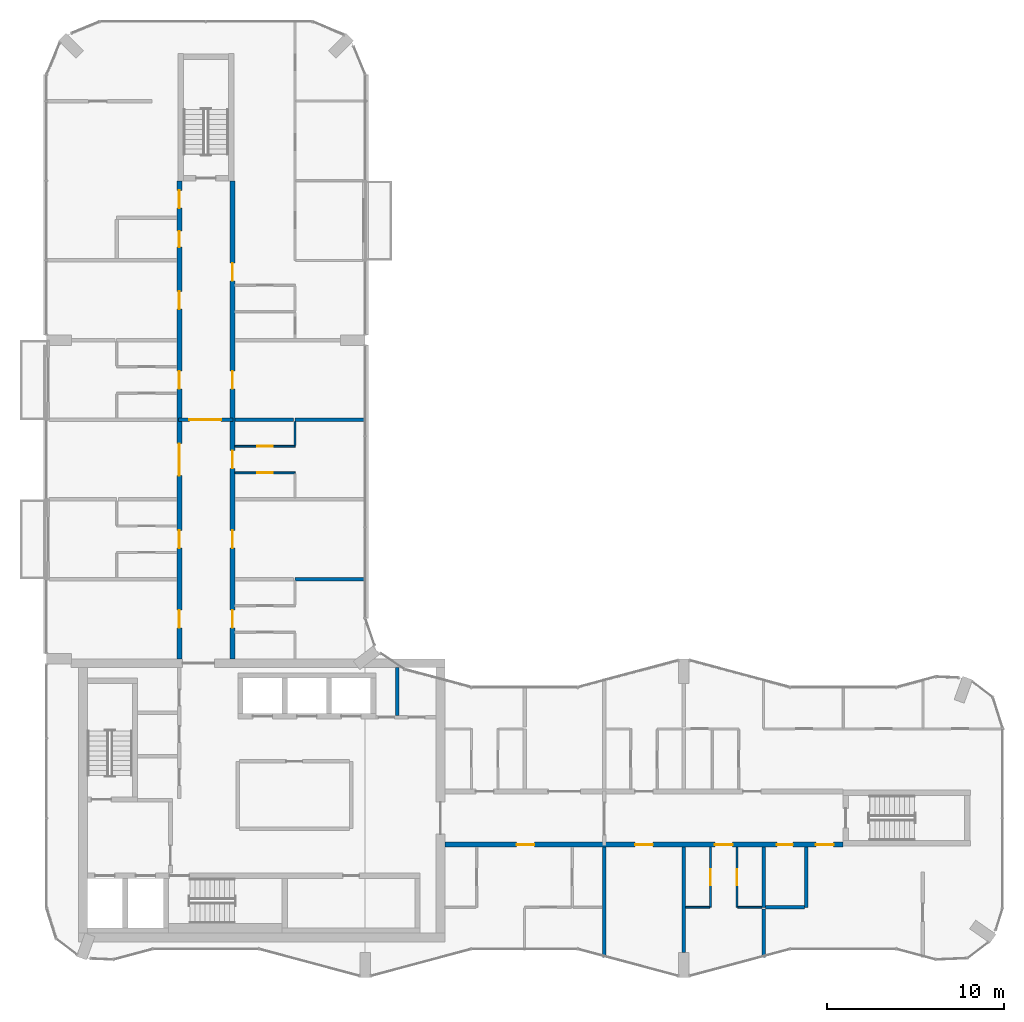
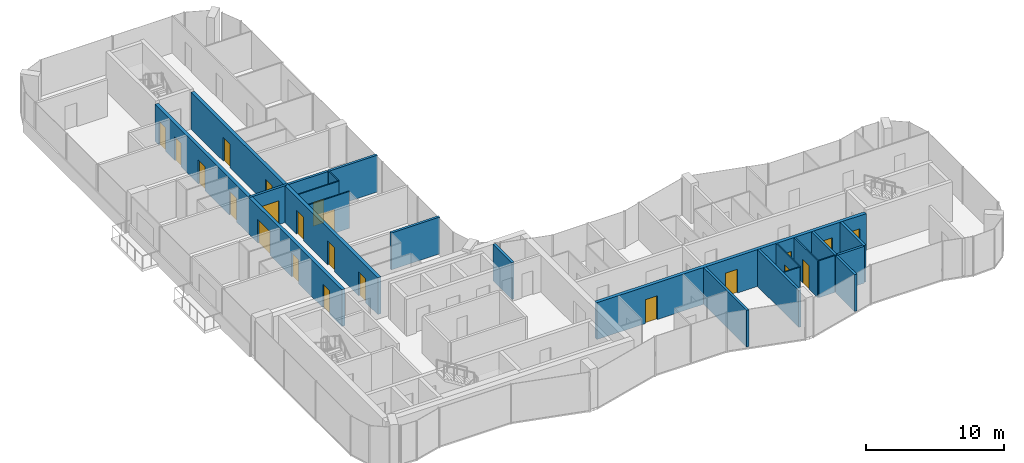
# One storey, part 11 of 16: 22 doors, 21 walls, 22 openings.
"""IFC4 building model written with IfcOpenShell, lengths in metres."""

from ifc_helpers import new_model, si_unit, direction, frame, frame_2d, origin, place, context, subcontext, project, spatial, rectangle, extrude, material, layer, layer_set, type_object, element, fill, save


model = new_model("IFC4")

# Units and contexts
model_context = context("Model", 3, precision=1e-05, world=origin(), true_north=direction((0.0, 1.0)))
body_context = subcontext(model_context, "Body", "Model", "MODEL_VIEW")
ifc_project = project(units=[si_unit("LENGTHUNIT", "METRE"), si_unit("AREAUNIT", "SQUARE_METRE"), si_unit("VOLUMEUNIT", "CUBIC_METRE"), si_unit("PLANEANGLEUNIT", "RADIAN"), si_unit("MASSUNIT", "GRAM", prefix="KILO")], contexts=[model_context])

# Site, building, storey
site_placement = place(None, origin())
site = spatial("IfcSite", under=ifc_project, at=site_placement, CompositionType="ELEMENT")
building_placement = place(site_placement, origin())
building = spatial("IfcBuilding", under=site, at=building_placement, Name="Plateau Cross Towers", CompositionType="ELEMENT")
storey_placement = place(building_placement, frame((0.0, 0.0, 215.39990234375)))
storey = spatial("IfcBuildingStorey", under=building, at=storey_placement, Name="L56", CompositionType="ELEMENT", Elevation=215.39990234375)

# Wall
ifc_material_1 = material(Name="Concrete block, plastered both sides", Category="concrete")
ifc_layer_1 = layer(ifc_material_1, 0.199951171875)
ifc_layer_set_1 = layer_set([ifc_layer_1], Name="Concrete block, plastered both sides")
wall_type_1 = type_object("IfcWallType", Name="Core partition 200", PredefinedType="PARTITIONING", material=ifc_layer_set_1)
wall_1_placement = place(storey_placement, frame((19.800048828125, 14.800048828125, 0.0), z_axis=(0.0, 0.0, 1.0), x_axis=(0.0, 1.0, 0.0)))
element("IfcWall", 1, at=wall_1_placement, inside=storey, type_object=wall_type_1, Name="Core partition", PredefinedType="PARTITIONING", context=body_context, shape_type="SweptSolid", body=[
    extrude(rectangle(XDim=2.699951171875, YDim=0.199951171875, at=frame_2d((1.35009765625, 0.0))), origin(), (0.0, 0.0, 1.0), 3.25),
])

# Wall, openings, doors
ifc_material_2 = material(Name="Concrete C60/75", Category="concrete")
ifc_layer_2 = layer(ifc_material_2, 0.27490234375)
ifc_layer_set_2 = layer_set([ifc_layer_2], Name="Concrete C60/75")
wall_type_2 = type_object("IfcWallType", Name="Corridor wall 275", PredefinedType="SHEAR", material=ifc_layer_set_2)
wall_2_placement = place(storey_placement, frame((22.5, 7.5, 0.0), z_axis=(0.0, 0.0, 1.0), x_axis=(1.0, 0.0, 0.0)))
wall_2 = element("IfcWall", 2, at=wall_2_placement, inside=storey, type_object=wall_type_2, Name="A-cw-S1@L56", PredefinedType="SHEAR", context=body_context, shape_type="SweptSolid", body=[
    extrude(rectangle(XDim=22.5, YDim=0.27490234375, at=frame_2d((11.25, 0.0))), origin(), (0.0, 0.0, 1.0), 3.25),
])
opening_1_placement = place(wall_2_placement, frame((4.050048828125, 0.0, 0.0)))
opening_1 = element("IfcOpeningElement", 3, at=opening_1_placement, cuts=wall_2, Name="Opening 56-01", PredefinedType="OPENING", context=body_context, shape_type="SweptSolid", body=[
    extrude(rectangle(XDim=1.0, YDim=2.10009765625, at=frame_2d((0.5, 1.050048828125))), frame((0.0, 0.1474609375, 0.0), z_axis=(0.0, -1.0, 0.0), x_axis=(1.0, 0.0, 0.0)), (0.0, 0.0, 1.0), 0.294921875),
])
opening_2_placement = place(wall_2_placement, frame((10.75, 0.0, 0.0)))
opening_2 = element("IfcOpeningElement", 4, at=opening_2_placement, cuts=wall_2, Name="Opening 56-02", PredefinedType="OPENING", context=body_context, shape_type="SweptSolid", body=[
    extrude(rectangle(XDim=1.0, YDim=2.10009765625, at=frame_2d((0.5, 1.050048828125))), frame((0.0, 0.1474609375, 0.0), z_axis=(0.0, -1.0, 0.0), x_axis=(1.0, 0.0, 0.0)), (0.0, 0.0, 1.0), 0.294921875),
])
opening_3_placement = place(wall_2_placement, frame((15.25, 0.0, 0.0)))
opening_3 = element("IfcOpeningElement", 5, at=opening_3_placement, cuts=wall_2, Name="Opening 56-03", PredefinedType="OPENING", context=body_context, shape_type="SweptSolid", body=[
    extrude(rectangle(XDim=1.0, YDim=2.10009765625, at=frame_2d((0.5, 1.050048828125))), frame((0.0, 0.1474609375, 0.0), z_axis=(0.0, -1.0, 0.0), x_axis=(1.0, 0.0, 0.0)), (0.0, 0.0, 1.0), 0.294921875),
])
opening_4_placement = place(wall_2_placement, frame((18.75, 0.0, 0.0)))
opening_4 = element("IfcOpeningElement", 6, at=opening_4_placement, cuts=wall_2, Name="Opening 56-04", PredefinedType="OPENING", context=body_context, shape_type="SweptSolid", body=[
    extrude(rectangle(XDim=0.89990234375, YDim=2.10009765625, at=frame_2d((0.449951171875, 1.050048828125))), frame((0.0, 0.1474609375, 0.0), z_axis=(0.0, -1.0, 0.0), x_axis=(1.0, 0.0, 0.0)), (0.0, 0.0, 1.0), 0.294921875),
])
opening_5_placement = place(wall_2_placement, frame((20.949951171875, 0.0, 0.0)))
opening_5 = element("IfcOpeningElement", 7, at=opening_5_placement, cuts=wall_2, Name="Opening 56-05", PredefinedType="OPENING", context=body_context, shape_type="SweptSolid", body=[
    extrude(rectangle(XDim=1.0, YDim=2.10009765625, at=frame_2d((0.5, 1.050048828125))), frame((0.0, 0.1474609375, 0.0), z_axis=(0.0, -1.0, 0.0), x_axis=(1.0, 0.0, 0.0)), (0.0, 0.0, 1.0), 0.294921875),
])
ifc_material_3 = material(Name="Timber, fire-resisting leaf", Category="wood")
door_type_1 = type_object("IfcDoorType", Name="Flat entrance door 1000", OperationType="NOTDEFINED", PredefinedType="DOOR", material=ifc_material_3)
door_1_placement = place(opening_1_placement, origin())
door_1 = element("IfcDoor", 8, at=door_1_placement, inside=storey, type_object=door_type_1, Name="Door 56-01", OperationType="SINGLE_SWING_LEFT", OverallHeight=2.10009765625, OverallWidth=1.0, PredefinedType="DOOR", context=body_context, shape_type="SweptSolid", body=[
    extrude(rectangle(XDim=1.0, YDim=2.10009765625, at=frame_2d((0.5, 1.050048828125))), frame((0.0, 0.02490234375, 0.0), z_axis=(0.0, -1.0, 0.0), x_axis=(1.0, 0.0, 0.0)), (0.0, 0.0, 1.0), 0.050048828125),
])
fill(opening_1, door_1)
door_2_placement = place(opening_2_placement, origin())
door_2 = element("IfcDoor", 9, at=door_2_placement, inside=storey, type_object=door_type_1, Name="Door 56-02", OperationType="SINGLE_SWING_LEFT", OverallHeight=2.10009765625, OverallWidth=1.0, PredefinedType="DOOR", context=body_context, shape_type="SweptSolid", body=[
    extrude(rectangle(XDim=1.0, YDim=2.10009765625, at=frame_2d((0.5, 1.050048828125))), frame((0.0, 0.02490234375, 0.0), z_axis=(0.0, -1.0, 0.0), x_axis=(1.0, 0.0, 0.0)), (0.0, 0.0, 1.0), 0.050048828125),
])
fill(opening_2, door_2)
door_3_placement = place(opening_3_placement, origin())
door_3 = element("IfcDoor", 10, at=door_3_placement, inside=storey, type_object=door_type_1, Name="Door 56-03", OperationType="SINGLE_SWING_RIGHT", OverallHeight=2.10009765625, OverallWidth=1.0, PredefinedType="DOOR", context=body_context, shape_type="SweptSolid", body=[
    extrude(rectangle(XDim=1.0, YDim=2.10009765625, at=frame_2d((0.5, 1.050048828125))), frame((0.0, 0.02490234375, 0.0), z_axis=(0.0, -1.0, 0.0), x_axis=(1.0, 0.0, 0.0)), (0.0, 0.0, 1.0), 0.050048828125),
])
fill(opening_3, door_3)
door_4_placement = place(opening_5_placement, origin())
door_4 = element("IfcDoor", 11, at=door_4_placement, inside=storey, type_object=door_type_1, Name="Door 56-05", OperationType="SINGLE_SWING_RIGHT", OverallHeight=2.10009765625, OverallWidth=1.0, PredefinedType="DOOR", context=body_context, shape_type="SweptSolid", body=[
    extrude(rectangle(XDim=1.0, YDim=2.10009765625, at=frame_2d((0.5, 1.050048828125))), frame((0.0, 0.02490234375, 0.0), z_axis=(0.0, -1.0, 0.0), x_axis=(1.0, 0.0, 0.0)), (0.0, 0.0, 1.0), 0.050048828125),
])
fill(opening_5, door_4)
door_type_2 = type_object("IfcDoorType", Name="Flat floor service door 900", OperationType="NOTDEFINED", PredefinedType="DOOR", material=ifc_material_3)
door_5_placement = place(opening_4_placement, origin())
door_5 = element("IfcDoor", 12, at=door_5_placement, inside=storey, type_object=door_type_2, Name="Door 56-04", OperationType="SINGLE_SWING_RIGHT", OverallHeight=2.10009765625, OverallWidth=0.89990234375, PredefinedType="DOOR", context=body_context, shape_type="SweptSolid", body=[
    extrude(rectangle(XDim=0.89990234375, YDim=2.10009765625, at=frame_2d((0.449951171875, 1.050048828125))), frame((0.0, 0.02490234375, 0.0), z_axis=(0.0, -1.0, 0.0), x_axis=(1.0, 0.0, 0.0)), (0.0, 0.0, 1.0), 0.050048828125),
])
fill(opening_4, door_5)

wall_3_placement = place(storey_placement, frame((7.5, 18.0, 0.0), z_axis=(0.0, 0.0, 1.0), x_axis=(0.0, 1.0, 0.0)))
wall_3 = element("IfcWall", 13, at=wall_3_placement, inside=storey, type_object=wall_type_2, Name="A-cw-W1@L56", PredefinedType="SHEAR", context=body_context, shape_type="SweptSolid", body=[
    extrude(rectangle(XDim=27.0, YDim=0.27490234375, at=frame_2d((13.5, 0.0))), origin(), (0.0, 0.0, 1.0), 3.25),
])
opening_6_placement = place(wall_3_placement, frame((1.75, 0.0, 0.0)))
opening_6 = element("IfcOpeningElement", 14, at=opening_6_placement, cuts=wall_3, Name="Opening 56-10", PredefinedType="OPENING", context=body_context, shape_type="SweptSolid", body=[
    extrude(rectangle(XDim=1.0, YDim=2.10009765625, at=frame_2d((0.5, 1.050048828125))), frame((0.0, 0.1474609375, 0.0), z_axis=(0.0, -1.0, 0.0), x_axis=(1.0, 0.0, 0.0)), (0.0, 0.0, 1.0), 0.294921875),
])
opening_7_placement = place(wall_3_placement, frame((6.25, 0.0, 0.0)))
opening_7 = element("IfcOpeningElement", 15, at=opening_7_placement, cuts=wall_3, Name="Opening 56-11", PredefinedType="OPENING", context=body_context, shape_type="SweptSolid", body=[
    extrude(rectangle(XDim=1.0, YDim=2.10009765625, at=frame_2d((0.5, 1.050048828125))), frame((0.0, 0.1474609375, 0.0), z_axis=(0.0, -1.0, 0.0), x_axis=(1.0, 0.0, 0.0)), (0.0, 0.0, 1.0), 0.294921875),
])
opening_8_placement = place(wall_3_placement, frame((10.35009765625, 0.0, 0.0)))
opening_8 = element("IfcOpeningElement", 16, at=opening_8_placement, cuts=wall_3, Name="Opening 56-12", PredefinedType="OPENING", context=body_context, shape_type="SweptSolid", body=[
    extrude(rectangle(XDim=1.800048828125, YDim=2.10009765625, at=frame_2d((0.89990234375, 1.050048828125))), frame((0.0, 0.1474609375, 0.0), z_axis=(0.0, -1.0, 0.0), x_axis=(1.0, 0.0, 0.0)), (0.0, 0.0, 1.0), 0.294921875),
])
opening_9_placement = place(wall_3_placement, frame((15.25, 0.0, 0.0)))
opening_9 = element("IfcOpeningElement", 17, at=opening_9_placement, cuts=wall_3, Name="Opening 56-13", PredefinedType="OPENING", context=body_context, shape_type="SweptSolid", body=[
    extrude(rectangle(XDim=1.0, YDim=2.10009765625, at=frame_2d((0.5, 1.050048828125))), frame((0.0, 0.1474609375, 0.0), z_axis=(0.0, -1.0, 0.0), x_axis=(1.0, 0.0, 0.0)), (0.0, 0.0, 1.0), 0.294921875),
])
opening_10_placement = place(wall_3_placement, frame((19.75, 0.0, 0.0)))
opening_10 = element("IfcOpeningElement", 18, at=opening_10_placement, cuts=wall_3, Name="Opening 56-14", PredefinedType="OPENING", context=body_context, shape_type="SweptSolid", body=[
    extrude(rectangle(XDim=1.0, YDim=2.10009765625, at=frame_2d((0.5, 1.050048828125))), frame((0.0, 0.1474609375, 0.0), z_axis=(0.0, -1.0, 0.0), x_axis=(1.0, 0.0, 0.0)), (0.0, 0.0, 1.0), 0.294921875),
])
opening_11_placement = place(wall_3_placement, frame((23.25, 0.0, 0.0)))
opening_11 = element("IfcOpeningElement", 19, at=opening_11_placement, cuts=wall_3, Name="Opening 56-15", PredefinedType="OPENING", context=body_context, shape_type="SweptSolid", body=[
    extrude(rectangle(XDim=0.89990234375, YDim=2.10009765625, at=frame_2d((0.449951171875, 1.050048828125))), frame((0.0, 0.1474609375, 0.0), z_axis=(0.0, -1.0, 0.0), x_axis=(1.0, 0.0, 0.0)), (0.0, 0.0, 1.0), 0.294921875),
])
opening_12_placement = place(wall_3_placement, frame((25.449951171875, 0.0, 0.0)))
opening_12 = element("IfcOpeningElement", 20, at=opening_12_placement, cuts=wall_3, Name="Opening 56-16", PredefinedType="OPENING", context=body_context, shape_type="SweptSolid", body=[
    extrude(rectangle(XDim=1.0, YDim=2.10009765625, at=frame_2d((0.5, 1.050048828125))), frame((0.0, 0.1474609375, 0.0), z_axis=(0.0, -1.0, 0.0), x_axis=(1.0, 0.0, 0.0)), (0.0, 0.0, 1.0), 0.294921875),
])
door_6_placement = place(opening_6_placement, origin())
door_6 = element("IfcDoor", 21, at=door_6_placement, inside=storey, type_object=door_type_1, Name="Door 56-10", OperationType="SINGLE_SWING_LEFT", OverallHeight=2.10009765625, OverallWidth=1.0, PredefinedType="DOOR", context=body_context, shape_type="SweptSolid", body=[
    extrude(rectangle(XDim=1.0, YDim=2.10009765625, at=frame_2d((0.5, 1.050048828125))), frame((0.0, 0.02490234375, 0.0), z_axis=(0.0, -1.0, 0.0), x_axis=(1.0, 0.0, 0.0)), (0.0, 0.0, 1.0), 0.050048828125),
])
fill(opening_6, door_6)
door_7_placement = place(opening_7_placement, origin())
door_7 = element("IfcDoor", 22, at=door_7_placement, inside=storey, type_object=door_type_1, Name="Door 56-11", OperationType="SINGLE_SWING_LEFT", OverallHeight=2.10009765625, OverallWidth=1.0, PredefinedType="DOOR", context=body_context, shape_type="SweptSolid", body=[
    extrude(rectangle(XDim=1.0, YDim=2.10009765625, at=frame_2d((0.5, 1.050048828125))), frame((0.0, 0.02490234375, 0.0), z_axis=(0.0, -1.0, 0.0), x_axis=(1.0, 0.0, 0.0)), (0.0, 0.0, 1.0), 0.050048828125),
])
fill(opening_7, door_7)
door_8_placement = place(opening_9_placement, origin())
door_8 = element("IfcDoor", 23, at=door_8_placement, inside=storey, type_object=door_type_1, Name="Door 56-13", OperationType="SINGLE_SWING_RIGHT", OverallHeight=2.10009765625, OverallWidth=1.0, PredefinedType="DOOR", context=body_context, shape_type="SweptSolid", body=[
    extrude(rectangle(XDim=1.0, YDim=2.10009765625, at=frame_2d((0.5, 1.050048828125))), frame((0.0, 0.02490234375, 0.0), z_axis=(0.0, -1.0, 0.0), x_axis=(1.0, 0.0, 0.0)), (0.0, 0.0, 1.0), 0.050048828125),
])
fill(opening_9, door_8)
door_9_placement = place(opening_10_placement, origin())
door_9 = element("IfcDoor", 24, at=door_9_placement, inside=storey, type_object=door_type_1, Name="Door 56-14", OperationType="SINGLE_SWING_RIGHT", OverallHeight=2.10009765625, OverallWidth=1.0, PredefinedType="DOOR", context=body_context, shape_type="SweptSolid", body=[
    extrude(rectangle(XDim=1.0, YDim=2.10009765625, at=frame_2d((0.5, 1.050048828125))), frame((0.0, 0.02490234375, 0.0), z_axis=(0.0, -1.0, 0.0), x_axis=(1.0, 0.0, 0.0)), (0.0, 0.0, 1.0), 0.050048828125),
])
fill(opening_10, door_9)
door_10_placement = place(opening_12_placement, origin())
door_10 = element("IfcDoor", 25, at=door_10_placement, inside=storey, type_object=door_type_1, Name="Door 56-16", OperationType="SINGLE_SWING_RIGHT", OverallHeight=2.10009765625, OverallWidth=1.0, PredefinedType="DOOR", context=body_context, shape_type="SweptSolid", body=[
    extrude(rectangle(XDim=1.0, YDim=2.10009765625, at=frame_2d((0.5, 1.050048828125))), frame((0.0, 0.02490234375, 0.0), z_axis=(0.0, -1.0, 0.0), x_axis=(1.0, 0.0, 0.0)), (0.0, 0.0, 1.0), 0.050048828125),
])
fill(opening_12, door_10)
ifc_material_4 = material(Name="Timber, fire-resisting leaves", Category="wood")
door_type_3 = type_object("IfcDoorType", Name="Flat floor fire door pair 1800", OperationType="NOTDEFINED", PredefinedType="DOOR", material=ifc_material_4)
door_11_placement = place(opening_8_placement, origin())
door_11 = element("IfcDoor", 26, at=door_11_placement, inside=storey, type_object=door_type_3, Name="Door 56-12", OperationType="SINGLE_SWING_LEFT", OverallHeight=2.10009765625, OverallWidth=1.800048828125, PredefinedType="DOOR", context=body_context, shape_type="SweptSolid", body=[
    extrude(rectangle(XDim=1.800048828125, YDim=2.10009765625, at=frame_2d((0.89990234375, 1.050048828125))), frame((0.0, 0.02490234375, 0.0), z_axis=(0.0, -1.0, 0.0), x_axis=(1.0, 0.0, 0.0)), (0.0, 0.0, 1.0), 0.050048828125),
])
fill(opening_8, door_11)
door_12_placement = place(opening_11_placement, origin())
door_12 = element("IfcDoor", 27, at=door_12_placement, inside=storey, type_object=door_type_2, Name="Door 56-15", OperationType="SINGLE_SWING_RIGHT", OverallHeight=2.10009765625, OverallWidth=0.89990234375, PredefinedType="DOOR", context=body_context, shape_type="SweptSolid", body=[
    extrude(rectangle(XDim=0.89990234375, YDim=2.10009765625, at=frame_2d((0.449951171875, 1.050048828125))), frame((0.0, 0.02490234375, 0.0), z_axis=(0.0, -1.0, 0.0), x_axis=(1.0, 0.0, 0.0)), (0.0, 0.0, 1.0), 0.050048828125),
])
fill(opening_11, door_12)

wall_4_placement = place(storey_placement, frame((10.5, 18.0, 0.0), z_axis=(0.0, 0.0, 1.0), x_axis=(0.0, 1.0, 0.0)))
wall_4 = element("IfcWall", 28, at=wall_4_placement, inside=storey, type_object=wall_type_2, Name="A-cw-W2@L56", PredefinedType="SHEAR", context=body_context, shape_type="SweptSolid", body=[
    extrude(rectangle(XDim=27.0, YDim=0.27490234375, at=frame_2d((13.5, 0.0))), origin(), (0.0, 0.0, 1.0), 3.25),
])
opening_13_placement = place(wall_4_placement, frame((1.75, 0.0, 0.0)))
opening_13 = element("IfcOpeningElement", 29, at=opening_13_placement, cuts=wall_4, Name="Opening 56-17", PredefinedType="OPENING", context=body_context, shape_type="SweptSolid", body=[
    extrude(rectangle(XDim=1.0, YDim=2.10009765625, at=frame_2d((0.5, 1.050048828125))), frame((0.0, 0.1474609375, 0.0), z_axis=(0.0, -1.0, 0.0), x_axis=(1.0, 0.0, 0.0)), (0.0, 0.0, 1.0), 0.294921875),
])
opening_14_placement = place(wall_4_placement, frame((6.25, 0.0, 0.0)))
opening_14 = element("IfcOpeningElement", 30, at=opening_14_placement, cuts=wall_4, Name="Opening 56-18", PredefinedType="OPENING", context=body_context, shape_type="SweptSolid", body=[
    extrude(rectangle(XDim=1.0, YDim=2.10009765625, at=frame_2d((0.5, 1.050048828125))), frame((0.0, 0.1474609375, 0.0), z_axis=(0.0, -1.0, 0.0), x_axis=(1.0, 0.0, 0.0)), (0.0, 0.0, 1.0), 0.294921875),
])
opening_15_placement = place(wall_4_placement, frame((10.75, 0.0, 0.0)))
opening_15 = element("IfcOpeningElement", 31, at=opening_15_placement, cuts=wall_4, Name="Opening 56-19", PredefinedType="OPENING", context=body_context, shape_type="SweptSolid", body=[
    extrude(rectangle(XDim=1.0, YDim=2.10009765625, at=frame_2d((0.5, 1.050048828125))), frame((0.0, 0.1474609375, 0.0), z_axis=(0.0, -1.0, 0.0), x_axis=(1.0, 0.0, 0.0)), (0.0, 0.0, 1.0), 0.294921875),
])
opening_16_placement = place(wall_4_placement, frame((15.25, 0.0, 0.0)))
opening_16 = element("IfcOpeningElement", 32, at=opening_16_placement, cuts=wall_4, Name="Opening 56-20", PredefinedType="OPENING", context=body_context, shape_type="SweptSolid", body=[
    extrude(rectangle(XDim=1.0, YDim=2.10009765625, at=frame_2d((0.5, 1.050048828125))), frame((0.0, 0.1474609375, 0.0), z_axis=(0.0, -1.0, 0.0), x_axis=(1.0, 0.0, 0.0)), (0.0, 0.0, 1.0), 0.294921875),
])
opening_17_placement = place(wall_4_placement, frame((21.35009765625, 0.0, 0.0)))
opening_17 = element("IfcOpeningElement", 33, at=opening_17_placement, cuts=wall_4, Name="Opening 56-21", PredefinedType="OPENING", context=body_context, shape_type="SweptSolid", body=[
    extrude(rectangle(XDim=1.0, YDim=2.10009765625, at=frame_2d((0.5, 1.050048828125))), frame((0.0, 0.1474609375, 0.0), z_axis=(0.0, -1.0, 0.0), x_axis=(1.0, 0.0, 0.0)), (0.0, 0.0, 1.0), 0.294921875),
])
door_13_placement = place(opening_13_placement, origin())
door_13 = element("IfcDoor", 34, at=door_13_placement, inside=storey, type_object=door_type_1, Name="Door 56-17", OperationType="SINGLE_SWING_LEFT", OverallHeight=2.10009765625, OverallWidth=1.0, PredefinedType="DOOR", context=body_context, shape_type="SweptSolid", body=[
    extrude(rectangle(XDim=1.0, YDim=2.10009765625, at=frame_2d((0.5, 1.050048828125))), frame((0.0, 0.02490234375, 0.0), z_axis=(0.0, -1.0, 0.0), x_axis=(1.0, 0.0, 0.0)), (0.0, 0.0, 1.0), 0.050048828125),
])
fill(opening_13, door_13)
door_14_placement = place(opening_14_placement, origin())
door_14 = element("IfcDoor", 35, at=door_14_placement, inside=storey, type_object=door_type_1, Name="Door 56-18", OperationType="SINGLE_SWING_LEFT", OverallHeight=2.10009765625, OverallWidth=1.0, PredefinedType="DOOR", context=body_context, shape_type="SweptSolid", body=[
    extrude(rectangle(XDim=1.0, YDim=2.10009765625, at=frame_2d((0.5, 1.050048828125))), frame((0.0, 0.02490234375, 0.0), z_axis=(0.0, -1.0, 0.0), x_axis=(1.0, 0.0, 0.0)), (0.0, 0.0, 1.0), 0.050048828125),
])
fill(opening_14, door_14)
door_15_placement = place(opening_15_placement, origin())
door_15 = element("IfcDoor", 36, at=door_15_placement, inside=storey, type_object=door_type_1, Name="Door 56-19", OperationType="SINGLE_SWING_LEFT", OverallHeight=2.10009765625, OverallWidth=1.0, PredefinedType="DOOR", context=body_context, shape_type="SweptSolid", body=[
    extrude(rectangle(XDim=1.0, YDim=2.10009765625, at=frame_2d((0.5, 1.050048828125))), frame((0.0, 0.02490234375, 0.0), z_axis=(0.0, -1.0, 0.0), x_axis=(1.0, 0.0, 0.0)), (0.0, 0.0, 1.0), 0.050048828125),
])
fill(opening_15, door_15)
door_16_placement = place(opening_16_placement, origin())
door_16 = element("IfcDoor", 37, at=door_16_placement, inside=storey, type_object=door_type_1, Name="Door 56-20", OperationType="SINGLE_SWING_RIGHT", OverallHeight=2.10009765625, OverallWidth=1.0, PredefinedType="DOOR", context=body_context, shape_type="SweptSolid", body=[
    extrude(rectangle(XDim=1.0, YDim=2.10009765625, at=frame_2d((0.5, 1.050048828125))), frame((0.0, 0.02490234375, 0.0), z_axis=(0.0, -1.0, 0.0), x_axis=(1.0, 0.0, 0.0)), (0.0, 0.0, 1.0), 0.050048828125),
])
fill(opening_16, door_16)
door_17_placement = place(opening_17_placement, origin())
door_17 = element("IfcDoor", 38, at=door_17_placement, inside=storey, type_object=door_type_1, Name="Door 56-21", OperationType="SINGLE_SWING_RIGHT", OverallHeight=2.10009765625, OverallWidth=1.0, PredefinedType="DOOR", context=body_context, shape_type="SweptSolid", body=[
    extrude(rectangle(XDim=1.0, YDim=2.10009765625, at=frame_2d((0.5, 1.050048828125))), frame((0.0, 0.02490234375, 0.0), z_axis=(0.0, -1.0, 0.0), x_axis=(1.0, 0.0, 0.0)), (0.0, 0.0, 1.0), 0.050048828125),
])
fill(opening_17, door_17)

# Walls
ifc_material_5 = material(Name="Gypsum board on steel studs", Category="steel")
ifc_layer_3 = layer(ifc_material_5, 0.10009765625)
ifc_layer_set_3 = layer_set([ifc_layer_3], Name="Gypsum board on steel studs")
wall_type_3 = type_object("IfcWallType", Name="Flat partition 100", PredefinedType="PARTITIONING", material=ifc_layer_set_3)
for number, where, z_axis, x_axis, name in (
    (39, (36.10009765625, 3.96240234375, 0.0), (0.0, 0.0, 1.0), (1.0, 0.0, 0.0), "Partition wall"),
    (40, (39.050048828125, 3.96240234375, 0.0), (0.0, 0.0, 1.0), (1.0, 0.0, 0.0), "Partition wall"),
):
    element("IfcWall", number, at=place(storey_placement, frame(where, z_axis=z_axis, x_axis=x_axis)), inside=storey, type_object=wall_type_3, Name=name, PredefinedType="PARTITIONING", context=body_context, shape_type="SweptSolid", body=[
        extrude(rectangle(XDim=1.349853515625, YDim=0.10009765625, at=frame_2d((0.6748046875, 0.0))), origin(), (0.0, 0.0, 1.0), 3.25),
    ])

# Wall, opening, door
wall_5_placement = place(storey_placement, frame((14.03759765625, 28.5, 0.0), z_axis=(0.0, 0.0, 1.0), x_axis=(-1.0, 0.0, 0.0)))
wall_5 = element("IfcWall", 41, at=wall_5_placement, inside=storey, type_object=wall_type_3, Name="Partition wall", PredefinedType="PARTITIONING", context=body_context, shape_type="SweptSolid", body=[
    extrude(rectangle(XDim=3.400146484375, YDim=0.10009765625, at=frame_2d((1.7001953125, 0.0))), origin(), (0.0, 0.0, 1.0), 3.25),
])
opening_18_placement = place(wall_5_placement, frame((1.25, 0.0, 0.0)))
opening_18 = element("IfcOpeningElement", 42, at=opening_18_placement, cuts=wall_5, Name="Opening 56-46", PredefinedType="OPENING", context=body_context, shape_type="SweptSolid", body=[
    extrude(rectangle(XDim=0.89990234375, YDim=2.10009765625, at=frame_2d((0.449951171875, 1.050048828125))), frame((0.0, 0.06005859375, 0.0), z_axis=(0.0, -1.0, 0.0), x_axis=(1.0, 0.0, 0.0)), (0.0, 0.0, 1.0), 0.1201171875),
])
ifc_material_6 = material(Name="Timber leaf", Category="wood")
door_type_4 = type_object("IfcDoorType", Name="Flat room door 900", OperationType="NOTDEFINED", PredefinedType="DOOR", material=ifc_material_6)
door_18_placement = place(opening_18_placement, origin())
door_18 = element("IfcDoor", 43, at=door_18_placement, inside=storey, type_object=door_type_4, Name="Door 56-46", OperationType="SINGLE_SWING_LEFT", OverallHeight=2.10009765625, OverallWidth=0.89990234375, PredefinedType="DOOR", context=body_context, shape_type="SweptSolid", body=[
    extrude(rectangle(XDim=0.89990234375, YDim=2.10009765625, at=frame_2d((0.449951171875, 1.050048828125))), frame((0.0, 0.02490234375, 0.0), z_axis=(0.0, -1.0, 0.0), x_axis=(1.0, 0.0, 0.0)), (0.0, 0.0, 1.0), 0.050048828125),
])
fill(opening_18, door_18)

wall_6_placement = place(storey_placement, frame((10.637451171875, 30.0, 0.0), z_axis=(0.0, 0.0, 1.0), x_axis=(1.0, 0.0, 0.0)))
wall_6 = element("IfcWall", 44, at=wall_6_placement, inside=storey, type_object=wall_type_3, Name="Partition wall", PredefinedType="PARTITIONING", context=body_context, shape_type="SweptSolid", body=[
    extrude(rectangle(XDim=3.400146484375, YDim=0.10009765625, at=frame_2d((1.7001953125, 0.0))), origin(), (0.0, 0.0, 1.0), 3.25),
])
opening_19_placement = place(wall_6_placement, frame((1.25, 0.0, 0.0)))
opening_19 = element("IfcOpeningElement", 45, at=opening_19_placement, cuts=wall_6, Name="Opening 56-47", PredefinedType="OPENING", context=body_context, shape_type="SweptSolid", body=[
    extrude(rectangle(XDim=0.89990234375, YDim=2.10009765625, at=frame_2d((0.449951171875, 1.050048828125))), frame((0.0, 0.06005859375, 0.0), z_axis=(0.0, -1.0, 0.0), x_axis=(1.0, 0.0, 0.0)), (0.0, 0.0, 1.0), 0.1201171875),
])
door_19_placement = place(opening_19_placement, origin())
door_19 = element("IfcDoor", 46, at=door_19_placement, inside=storey, type_object=door_type_4, Name="Door 56-47", OperationType="SINGLE_SWING_LEFT", OverallHeight=2.10009765625, OverallWidth=0.89990234375, PredefinedType="DOOR", context=body_context, shape_type="SweptSolid", body=[
    extrude(rectangle(XDim=0.89990234375, YDim=2.10009765625, at=frame_2d((0.449951171875, 1.050048828125))), frame((0.0, 0.02490234375, 0.0), z_axis=(0.0, -1.0, 0.0), x_axis=(1.0, 0.0, 0.0)), (0.0, 0.0, 1.0), 0.050048828125),
])
fill(opening_19, door_19)

# Wall
wall_7_placement = place(storey_placement, frame((14.03759765625, 30.050048828125, 0.0), z_axis=(0.0, 0.0, 1.0), x_axis=(0.0, 1.0, 0.0)))
element("IfcWall", 47, at=wall_7_placement, inside=storey, type_object=wall_type_3, Name="Partition wall", PredefinedType="PARTITIONING", context=body_context, shape_type="SweptSolid", body=[
    extrude(rectangle(XDim=1.349853515625, YDim=0.10009765625, at=frame_2d((0.6748046875, 0.0))), origin(), (0.0, 0.0, 1.0), 3.25),
])

# Wall, opening, door
wall_8_placement = place(storey_placement, frame((37.5, 3.96240234375, 0.0), z_axis=(0.0, 0.0, 1.0), x_axis=(0.0, 1.0, 0.0)))
wall_8 = element("IfcWall", 48, at=wall_8_placement, inside=storey, type_object=wall_type_3, Name="Partition wall", PredefinedType="PARTITIONING", context=body_context, shape_type="SweptSolid", body=[
    extrude(rectangle(XDim=3.400146484375, YDim=0.10009765625, at=frame_2d((1.7001953125, 0.0))), origin(), (0.0, 0.0, 1.0), 3.25),
])
opening_20_placement = place(wall_8_placement, frame((1.25, 0.0, 0.0)))
opening_20 = element("IfcOpeningElement", 49, at=opening_20_placement, cuts=wall_8, Name="Opening 56-29", PredefinedType="OPENING", context=body_context, shape_type="SweptSolid", body=[
    extrude(rectangle(XDim=0.89990234375, YDim=2.10009765625, at=frame_2d((0.449951171875, 1.050048828125))), frame((0.0, 0.06005859375, 0.0), z_axis=(0.0, -1.0, 0.0), x_axis=(1.0, 0.0, 0.0)), (0.0, 0.0, 1.0), 0.1201171875),
])
door_20_placement = place(opening_20_placement, origin())
door_20 = element("IfcDoor", 50, at=door_20_placement, inside=storey, type_object=door_type_4, Name="Door 56-29", OperationType="SINGLE_SWING_LEFT", OverallHeight=2.10009765625, OverallWidth=0.89990234375, PredefinedType="DOOR", context=body_context, shape_type="SweptSolid", body=[
    extrude(rectangle(XDim=0.89990234375, YDim=2.10009765625, at=frame_2d((0.449951171875, 1.050048828125))), frame((0.0, 0.02490234375, 0.0), z_axis=(0.0, -1.0, 0.0), x_axis=(1.0, 0.0, 0.0)), (0.0, 0.0, 1.0), 0.050048828125),
])
fill(opening_20, door_20)

wall_9_placement = place(storey_placement, frame((39.0, 7.362548828125, 0.0), z_axis=(0.0, 0.0, 1.0), x_axis=(0.0, -1.0, 0.0)))
wall_9 = element("IfcWall", 51, at=wall_9_placement, inside=storey, type_object=wall_type_3, Name="Partition wall", PredefinedType="PARTITIONING", context=body_context, shape_type="SweptSolid", body=[
    extrude(rectangle(XDim=3.400146484375, YDim=0.10009765625, at=frame_2d((1.7001953125, 0.0))), origin(), (0.0, 0.0, 1.0), 3.25),
])
opening_21_placement = place(wall_9_placement, frame((1.25, 0.0, 0.0)))
opening_21 = element("IfcOpeningElement", 52, at=opening_21_placement, cuts=wall_9, Name="Opening 56-30", PredefinedType="OPENING", context=body_context, shape_type="SweptSolid", body=[
    extrude(rectangle(XDim=0.89990234375, YDim=2.10009765625, at=frame_2d((0.449951171875, 1.050048828125))), frame((0.0, 0.06005859375, 0.0), z_axis=(0.0, -1.0, 0.0), x_axis=(1.0, 0.0, 0.0)), (0.0, 0.0, 1.0), 0.1201171875),
])
door_21_placement = place(opening_21_placement, origin())
door_21 = element("IfcDoor", 53, at=door_21_placement, inside=storey, type_object=door_type_4, Name="Door 56-30", OperationType="SINGLE_SWING_LEFT", OverallHeight=2.10009765625, OverallWidth=0.89990234375, PredefinedType="DOOR", context=body_context, shape_type="SweptSolid", body=[
    extrude(rectangle(XDim=0.89990234375, YDim=2.10009765625, at=frame_2d((0.449951171875, 1.050048828125))), frame((0.0, 0.02490234375, 0.0), z_axis=(0.0, -1.0, 0.0), x_axis=(1.0, 0.0, 0.0)), (0.0, 0.0, 1.0), 0.050048828125),
])
fill(opening_21, door_21)

# Walls
ifc_material_7 = material(Name="Gypsum board on steel studs, two layers each side", Category="steel")
ifc_layer_4 = layer(ifc_material_7, 0.199951171875)
ifc_layer_set_4 = layer_set([ifc_layer_4], Name="Gypsum board on steel studs, two layers each side")
wall_type_4 = type_object("IfcWallType", Name="Flat party wall 200", PredefinedType="PARTITIONING", material=ifc_layer_set_4)
wall_10_placement = place(storey_placement, frame((40.60009765625, 3.96240234375, 0.0), z_axis=(0.0, 0.0, 1.0), x_axis=(1.0, 0.0, 0.0)))
element("IfcWall", 54, at=wall_10_placement, inside=storey, type_object=wall_type_4, Name="Party wall", PredefinedType="PARTITIONING", context=body_context, shape_type="SweptSolid", body=[
    extrude(rectangle(XDim=2.199951171875, YDim=0.199951171875, at=frame_2d((1.10009765625, 0.0))), origin(), (0.0, 0.0, 1.0), 3.25),
])
wall_11_placement = place(storey_placement, frame((14.03759765625, 22.5, 0.0), z_axis=(0.0, 0.0, 1.0), x_axis=(1.0, 0.0, 0.0)))
element("IfcWall", 55, at=wall_11_placement, inside=storey, type_object=wall_type_4, Name="Party wall", PredefinedType="PARTITIONING", context=body_context, shape_type="SweptSolid", body=[
    extrude(rectangle(XDim=4.04248046875, YDim=0.199951171875, at=frame_2d((2.021240234375, 0.0))), origin(), (0.0, 0.0, 1.0), 3.25),
])
wall_12_placement = place(storey_placement, frame((13.9375, 31.5, 0.0), z_axis=(0.0, 0.0, 1.0), x_axis=(-1.0, 0.0, 0.0)))
element("IfcWall", 56, at=wall_12_placement, inside=storey, type_object=wall_type_4, Name="Party wall", PredefinedType="PARTITIONING", context=body_context, shape_type="SweptSolid", body=[
    extrude(rectangle(XDim=3.300048828125, YDim=0.199951171875, at=frame_2d((1.64990234375, 0.0))), origin(), (0.0, 0.0, 1.0), 3.25),
])
wall_13_placement = place(storey_placement, frame((14.03759765625, 31.5, 0.0), z_axis=(0.0, 0.0, 1.0), x_axis=(1.0, 0.0, 0.0)))
element("IfcWall", 57, at=wall_13_placement, inside=storey, type_object=wall_type_4, Name="Party wall", PredefinedType="PARTITIONING", context=body_context, shape_type="SweptSolid", body=[
    extrude(rectangle(XDim=4.04248046875, YDim=0.199951171875, at=frame_2d((2.021240234375, 0.0))), origin(), (0.0, 0.0, 1.0), 3.25),
])
wall_14_placement = place(storey_placement, frame((31.5, 1.122314453125, 0.0), z_axis=(0.0, 0.0, 1.0), x_axis=(0.0, 1.0, 0.0)))
element("IfcWall", 58, at=wall_14_placement, inside=storey, type_object=wall_type_4, Name="Party wall", PredefinedType="PARTITIONING", context=body_context, shape_type="SweptSolid", body=[
    extrude(rectangle(XDim=6.240234375, YDim=0.199951171875, at=frame_2d((3.1201171875, 0.0))), origin(), (0.0, 0.0, 1.0), 3.25),
])
wall_15_placement = place(storey_placement, frame((36.0, 1.39990234375, 0.0), z_axis=(0.0, 0.0, 1.0), x_axis=(0.0, 1.0, 0.0)))
element("IfcWall", 59, at=wall_15_placement, inside=storey, type_object=wall_type_4, Name="Party wall", PredefinedType="PARTITIONING", context=body_context, shape_type="SweptSolid", body=[
    extrude(rectangle(XDim=5.962646484375, YDim=0.199951171875, at=frame_2d((2.9814453125, 0.0))), origin(), (0.0, 0.0, 1.0), 3.25),
])
wall_16_placement = place(storey_placement, frame((40.5, 3.862548828125, 0.0), z_axis=(0.0, 0.0, 1.0), x_axis=(0.0, -1.0, 0.0)))
element("IfcWall", 60, at=wall_16_placement, inside=storey, type_object=wall_type_4, Name="Party wall", PredefinedType="PARTITIONING", context=body_context, shape_type="SweptSolid", body=[
    extrude(rectangle(XDim=2.740234375, YDim=0.199951171875, at=frame_2d((1.3701171875, 0.0))), origin(), (0.0, 0.0, 1.0), 3.25),
])
for number, where, z_axis, x_axis, name in (
    (61, (40.5, 3.96240234375, 0.0), (0.0, 0.0, 1.0), (0.0, 1.0, 0.0), "Party wall"),
    (62, (42.89990234375, 3.96240234375, 0.0), (0.0, 0.0, 1.0), (0.0, 1.0, 0.0), "Party wall"),
):
    element("IfcWall", number, at=place(storey_placement, frame(where, z_axis=z_axis, x_axis=x_axis)), inside=storey, type_object=wall_type_4, Name=name, PredefinedType="PARTITIONING", context=body_context, shape_type="SweptSolid", body=[
        extrude(rectangle(XDim=3.400146484375, YDim=0.199951171875, at=frame_2d((1.7001953125, 0.0))), origin(), (0.0, 0.0, 1.0), 3.25),
    ])

# Wall, opening, door
wall_17_placement = place(storey_placement, frame((7.46240234375, 31.5, 0.0), z_axis=(0.0, 0.0, 1.0), x_axis=(1.0, 0.0, 0.0)))
wall_17 = element("IfcWall", 63, at=wall_17_placement, inside=storey, type_object=wall_type_4, Name="Party wall", PredefinedType="PARTITIONING", context=body_context, shape_type="SweptSolid", body=[
    extrude(rectangle(XDim=3.0751953125, YDim=0.199951171875, at=frame_2d((1.53759765625, 0.0))), origin(), (0.0, 0.0, 1.0), 3.25),
])
opening_22_placement = place(wall_17_placement, frame((0.60009765625, 0.0, 0.0)))
opening_22 = element("IfcOpeningElement", 64, at=opening_22_placement, cuts=wall_17, Name="Opening 56-23", PredefinedType="OPENING", context=body_context, shape_type="SweptSolid", body=[
    extrude(rectangle(XDim=1.800048828125, YDim=2.10009765625, at=frame_2d((0.89990234375, 1.050048828125))), frame((0.0, 0.10986328125, 0.0), z_axis=(0.0, -1.0, 0.0), x_axis=(1.0, 0.0, 0.0)), (0.0, 0.0, 1.0), 0.219970703125),
])
door_22_placement = place(opening_22_placement, origin())
door_22 = element("IfcDoor", 65, at=door_22_placement, inside=storey, type_object=door_type_3, Name="Door 56-23", OperationType="SINGLE_SWING_LEFT", OverallHeight=2.10009765625, OverallWidth=1.800048828125, PredefinedType="DOOR", context=body_context, shape_type="SweptSolid", body=[
    extrude(rectangle(XDim=1.800048828125, YDim=2.10009765625, at=frame_2d((0.89990234375, 1.050048828125))), frame((0.0, 0.02490234375, 0.0), z_axis=(0.0, -1.0, 0.0), x_axis=(1.0, 0.0, 0.0)), (0.0, 0.0, 1.0), 0.050048828125),
])
fill(opening_22, door_22)

save(model, "model.ifc")
